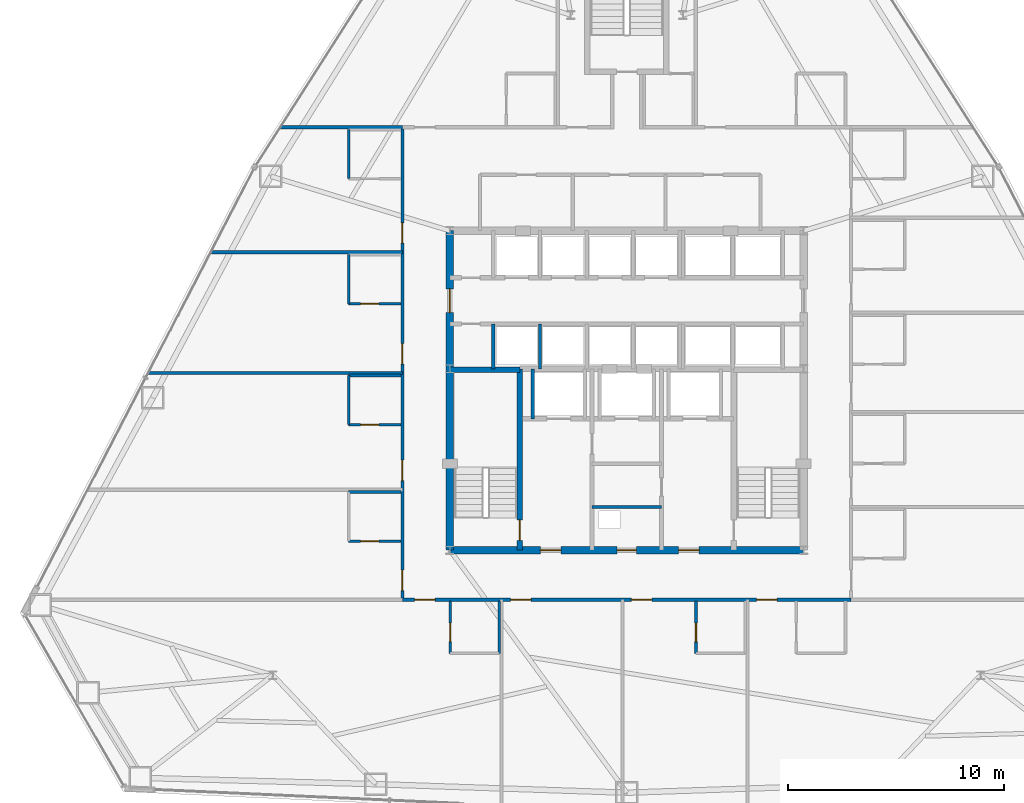
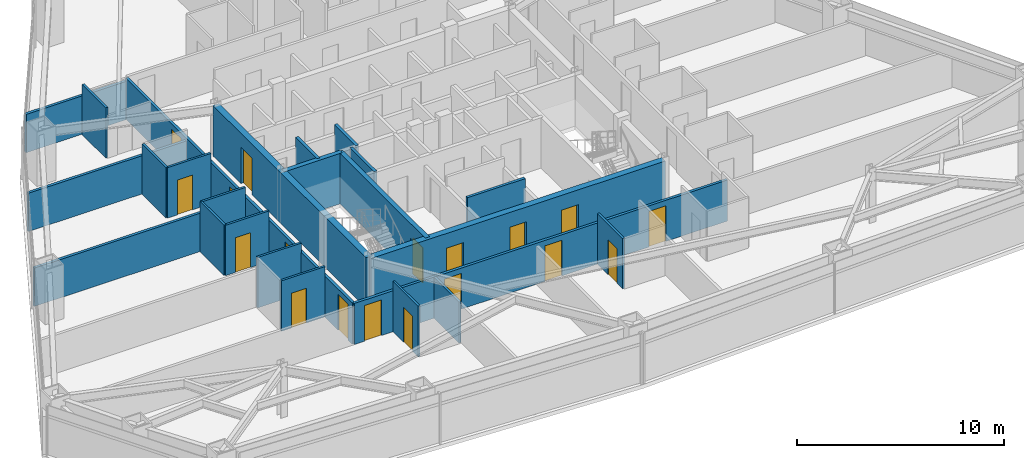
# One storey, part 9 of 13: 24 walls, 18 doors, 18 openings.
"""IFC4 building model written with IfcOpenShell, lengths in metres."""

import ifcopenshell
import ifcopenshell.guid

model = None  # the IFC model being written
_history = None  # IfcOwnerHistory: only IFC2X3 demands one
_inside = {}  # id of a spatial element -> (the spatial element, [elements in it])
_under = {}  # id of a project, library or spatial element -> (it, [spatial elements below it])
_declared = {}  # id of a project -> (the project, [libraries it declares])
_typed = {}  # id of a type object -> (the type object, [elements of that type])
_made_of = {}  # id of a material, layer set ... -> (it, [elements and type objects made of it])


def new_model(schema):
    """Start an empty IFC model of exactly this schema.

    Asked for "IFC4X3", IfcOpenShell would pick the latest addendum, in which some entities
    have other attributes; the version numbers below select the first issue.
    IFC2X3 requires an IfcOwnerHistory on every rooted entity: one is made here for all.
    """
    global model, _history
    if schema == "IFC4X3":
        model = ifcopenshell.file(schema_version=(4, 3, 0, 0))
    else:
        model = ifcopenshell.file(schema=schema)
    _inside.clear()
    _under.clear()
    _declared.clear()
    _typed.clear()
    _made_of.clear()
    _history = None
    if model.schema == "IFC2X3":
        org = make("IfcOrganization", Name="unknown")
        user = make(
            "IfcPersonAndOrganization",
            ThePerson=make("IfcPerson", FamilyName="unknown"),
            TheOrganization=org,
        )
        app = make(
            "IfcApplication",
            ApplicationDeveloper=org,
            Version="unknown",
            ApplicationFullName="unknown",
            ApplicationIdentifier="unknown",
        )
        _history = make(
            "IfcOwnerHistory",
            OwningUser=user,
            OwningApplication=app,
            ChangeAction="ADDED",
            CreationDate=0,
        )
    return model


def make(cls, **values):
    """One entity of the class cls with the attributes given. An attribute that is None is left unset."""
    return model.create_entity(
        cls, **{name: value for name, value in values.items() if value is not None}
    )


def rooted(cls, **values):
    """An entity with a GlobalId (a new one), such as an element, a storey or a relation."""
    return make(cls, GlobalId=ifcopenshell.guid.new(), OwnerHistory=_history, **values)


def si_unit(unit_type, name, prefix=None):
    """IfcSIUnit, for example si_unit("LENGTHUNIT", "METRE", prefix="MILLI")."""
    return make("IfcSIUnit", UnitType=unit_type, Prefix=prefix, Name=name)


def assignment(units):
    """IfcUnitAssignment: the units of a project."""
    return None if units is None else make("IfcUnitAssignment", Units=units)


def point(xyz):
    """IfcCartesianPoint."""
    return None if xyz is None else make("IfcCartesianPoint", Coordinates=xyz)


def direction(xyz):
    """IfcDirection."""
    return None if xyz is None else make("IfcDirection", DirectionRatios=xyz)


def frame(location, z_axis=None, x_axis=None):
    """IfcAxis2Placement3D, a coordinate frame: its origin and axes. An axis left out is left unset."""
    return make(
        "IfcAxis2Placement3D",
        Location=point(location),
        Axis=direction(z_axis),
        RefDirection=direction(x_axis),
    )


def frame_2d(location, x_axis=None):
    """IfcAxis2Placement2D, a coordinate frame in the plane: its origin and x axis."""
    return make(
        "IfcAxis2Placement2D", Location=point(location), RefDirection=direction(x_axis)
    )


def origin():
    """The frame at (0, 0, 0) with its axes left unset."""
    return frame((0.0, 0.0, 0.0))


def place(relative_to, where):
    """IfcLocalPlacement: puts the frame where relative to a parent placement (None: the world)."""
    return make(
        "IfcLocalPlacement", PlacementRelTo=relative_to, RelativePlacement=where
    )


def context(
    kind, dimensions, precision=None, world=None, true_north=None, identifier=None
):
    """IfcGeometricRepresentationContext, for example the 3D "Model" context."""
    return make(
        "IfcGeometricRepresentationContext",
        ContextIdentifier=identifier,
        ContextType=kind,
        CoordinateSpaceDimension=dimensions,
        Precision=precision,
        WorldCoordinateSystem=world,
        TrueNorth=true_north,
    )


def subcontext(parent, identifier, kind, view, scale=None):
    """IfcGeometricRepresentationSubContext, for example "Body" below "Model"."""
    return make(
        "IfcGeometricRepresentationSubContext",
        ContextIdentifier=identifier,
        ContextType=kind,
        ParentContext=parent,
        TargetScale=scale,
        TargetView=view,
    )


def project(units=None, contexts=None):
    """IfcProject with its units and contexts."""
    return rooted(
        "IfcProject",
        Name="project",
        RepresentationContexts=contexts,
        UnitsInContext=assignment(units),
    )


def spatial(cls, under=None, at=None, **own):
    """A site, building, storey or space (cls), placed at a placement, below another one or the project."""
    s = rooted(cls, ObjectPlacement=at, **own)
    if under is not None:
        _under.setdefault(under.id(), (under, []))[1].append(s)
    return s


def profile(cls, at=None, kind="AREA", **sizes):
    """A parametric profile (cls). Its sizes go by their IFC names, for example OverallWidth=200.0."""
    return make(cls, ProfileType=kind, Position=at, **sizes)


def rectangle(**sizes):
    """IfcRectangleProfileDef."""
    return profile("IfcRectangleProfileDef", **sizes)


def extrude(swept, where, along, depth):
    """IfcExtrudedAreaSolid: the profile swept, set in the frame where, extruded along a direction by depth."""
    return make(
        "IfcExtrudedAreaSolid",
        SweptArea=swept,
        Position=where,
        ExtrudedDirection=direction(along),
        Depth=depth,
    )


def shape(context_of_items, identifier, shape_type, items):
    """IfcShapeRepresentation: the items that make up one representation, for example the "Body"."""
    return make(
        "IfcShapeRepresentation",
        ContextOfItems=context_of_items,
        RepresentationIdentifier=identifier,
        RepresentationType=shape_type,
        Items=items,
    )


def material(Name=None, Category=None):
    """IfcMaterial."""
    return make("IfcMaterial", Name=Name, Category=Category)


def layer(
    of_material, thickness, ventilated=None, Name=None, Category=None, Priority=None
):
    """IfcMaterialLayer: one layer of a wall or slab, of a material (None: an air gap)."""
    return make(
        "IfcMaterialLayer",
        Material=of_material,
        LayerThickness=thickness,
        IsVentilated=ventilated,
        Name=Name,
        Category=Category,
        Priority=Priority,
    )


def layer_set(layers, Name=None):
    """IfcMaterialLayerSet."""
    return make("IfcMaterialLayerSet", MaterialLayers=layers, LayerSetName=Name)


def made_of(thing, what):
    """Note that an element or type object is made of a material, layer set ...; save() writes the relation."""
    if what is not None:
        _made_of.setdefault(what.id(), (what, []))[1].append(thing)
    return thing


def type_object(cls, material=None, **own):
    """A type object (cls), such as IfcWallType, which elements share."""
    return made_of(rooted(cls, **own), material)


def element(
    cls,
    number,
    at=None,
    inside=None,
    cuts=None,
    type_object=None,
    material=None,
    context=None,
    identifier="Body",
    shape_type=None,
    held_by="IfcProductDefinitionShape",
    body=None,
    shapes=None,
    **own,
):
    """One element of the class cls, such as IfcWall. Its Tag is "e" and its number.

    at: its placement. inside: the storey or other place that contains it. cuts: it is an
    opening in that element (IfcRelVoidsElement). A single representation is given by context,
    identifier, shape_type and body (its items); several are given by shapes. held_by: the class
    of the entity that holds the representations. save() writes the other relations.
    """
    e = rooted(cls, Tag="e%d" % number, ObjectPlacement=at, **own)
    if body is not None:
        shapes = [shape(context, identifier, shape_type, body)]
    if shapes is not None:
        e.Representation = make(held_by, Representations=shapes)
    if inside is not None:
        _inside.setdefault(inside.id(), (inside, []))[1].append(e)
    if cuts is not None:
        rooted(
            "IfcRelVoidsElement", RelatingBuildingElement=cuts, RelatedOpeningElement=e
        )
    if type_object is not None:
        _typed.setdefault(type_object.id(), (type_object, []))[1].append(e)
    return made_of(e, material)


def fill(opening, filler):
    """IfcRelFillsElement: the door or window that sits in an opening."""
    return rooted(
        "IfcRelFillsElement",
        RelatingOpeningElement=opening,
        RelatedBuildingElement=filler,
    )


def aggregate(whole, parts):
    """IfcRelAggregates: a whole, such as a stair, and the parts it consists of."""
    return rooted("IfcRelAggregates", RelatingObject=whole, RelatedObjects=parts)


def save(model, path):
    """Write the relations noted so far, then the file.

    IfcRelAggregates (storeys below a building ...), IfcRelContainedInSpatialStructure (elements
    in a storey), IfcRelDefinesByType, IfcRelAssociatesMaterial and IfcRelDeclares: one each for
    every whole, place, type object, material and project.
    """
    for whole, parts in _under.values():
        aggregate(whole, parts)
    for where, things in _inside.values():
        rooted(
            "IfcRelContainedInSpatialStructure",
            RelatedElements=things,
            RelatingStructure=where,
        )
    for kind, things in _typed.values():
        rooted("IfcRelDefinesByType", RelatedObjects=things, RelatingType=kind)
    for what, things in _made_of.values():
        rooted("IfcRelAssociatesMaterial", RelatedObjects=things, RelatingMaterial=what)
    for by, libraries in _declared.values():
        rooted("IfcRelDeclares", RelatingContext=by, RelatedDefinitions=libraries)
    model.write(path)


model = new_model("IFC4")

# Units and contexts
model_context = context("Model", 3, precision=1e-05, world=origin(), true_north=direction((0.0, 1.0)))
body_context = subcontext(model_context, "Body", "Model", "MODEL_VIEW")
ifc_project = project(units=[si_unit("LENGTHUNIT", "METRE"), si_unit("AREAUNIT", "SQUARE_METRE"), si_unit("VOLUMEUNIT", "CUBIC_METRE"), si_unit("PLANEANGLEUNIT", "RADIAN"), si_unit("MASSUNIT", "GRAM", prefix="KILO")], contexts=[model_context])

# Site, building, storey
site_placement = place(None, origin())
site = spatial("IfcSite", under=ifc_project, at=site_placement, CompositionType="ELEMENT")
building_placement = place(site_placement, origin())
building = spatial("IfcBuilding", under=site, at=building_placement, Name="Varakhsha Concourse Tower", CompositionType="ELEMENT")
storey_placement = place(building_placement, frame((0.0, 0.0, 83.0)))
storey = spatial("IfcBuildingStorey", under=building, at=storey_placement, Name="L23", CompositionType="ELEMENT", Elevation=83.0)

# Wall, openings, doors
ifc_material_1 = material(Name="Concrete fc 65 MPa", Category="concrete")
ifc_layer_1 = layer(ifc_material_1, 0.35009765625, Name="WL-CORE-350")
ifc_layer_set_1 = layer_set([ifc_layer_1], Name="Concrete fc 65 MPa")
wall_type_1 = type_object("IfcWallType", Name="WL-CORE-350", PredefinedType="SHEAR", material=ifc_layer_set_1)
wall_1_placement = place(storey_placement, frame((31.800048828125, 16.39990234375, 0.0), z_axis=(0.0, 0.0, 1.0), x_axis=(1.0, 0.0, 0.0)))
wall_1 = element("IfcWall", 1, at=wall_1_placement, inside=storey, type_object=wall_type_1, Name="L23 Wall CWALL-S-L23", PredefinedType="SHEAR", context=body_context, shape_type="SweptSolid", body=[
    extrude(rectangle(XDim=16.39990234375, YDim=0.35009765625, at=frame_2d((8.199951171875, 0.0))), origin(), (0.0, 0.0, 1.0), 2.969970703125),
])
opening_1_placement = place(wall_1_placement, frame((7.75, 0.0, 0.0)))
opening_1 = element("IfcOpeningElement", 2, at=opening_1_placement, cuts=wall_1, Name="Opening DF-06", PredefinedType="OPENING", context=body_context, shape_type="SweptSolid", body=[
    extrude(rectangle(XDim=0.89990234375, YDim=2.10009765625, at=frame_2d((0.449951171875, 1.050048828125))), frame((0.0, 0.18505859375, 0.0), z_axis=(0.0, -1.0, 0.0), x_axis=(1.0, 0.0, 0.0)), (0.0, 0.0, 1.0), 0.3701171875),
])
opening_2_placement = place(wall_1_placement, frame((4.199951171875, 0.0, 0.0)))
opening_2 = element("IfcOpeningElement", 3, at=opening_2_placement, cuts=wall_1, Name="Opening DF-05", PredefinedType="OPENING", context=body_context, shape_type="SweptSolid", body=[
    extrude(rectangle(XDim=0.949951171875, YDim=2.10009765625, at=frame_2d((0.47509765625, 1.050048828125))), frame((0.0, 0.18505859375, 0.0), z_axis=(0.0, -1.0, 0.0), x_axis=(1.0, 0.0, 0.0)), (0.0, 0.0, 1.0), 0.3701171875),
])
opening_3_placement = place(wall_1_placement, frame((10.60009765625, 0.0, 0.0)))
opening_3 = element("IfcOpeningElement", 4, at=opening_3_placement, cuts=wall_1, Name="Opening DF-05", PredefinedType="OPENING", context=body_context, shape_type="SweptSolid", body=[
    extrude(rectangle(XDim=0.949951171875, YDim=2.10009765625, at=frame_2d((0.47509765625, 1.050048828125))), frame((0.0, 0.18505859375, 0.0), z_axis=(0.0, -1.0, 0.0), x_axis=(1.0, 0.0, 0.0)), (0.0, 0.0, 1.0), 0.3701171875),
])
ifc_material_2 = material(Name="Hollow Galvanised Steel Fire Door Assembly", Category="steel")
door_type_1 = type_object("IfcDoorType", Name="DR-FD60-900", OperationType="NOTDEFINED", PredefinedType="DOOR", material=ifc_material_2)
door_1_placement = place(opening_1_placement, origin())
door_1 = element("IfcDoor", 5, at=door_1_placement, inside=storey, type_object=door_type_1, Name="L23 Electrical Riser Door", OperationType="SINGLE_SWING_LEFT", OverallHeight=2.10009765625, OverallWidth=0.89990234375, PredefinedType="DOOR", context=body_context, shape_type="SweptSolid", body=[
    extrude(rectangle(XDim=0.89990234375, YDim=2.10009765625, at=frame_2d((0.449951171875, 1.050048828125))), frame((0.0, 0.02490234375, 0.0), z_axis=(0.0, -1.0, 0.0), x_axis=(1.0, 0.0, 0.0)), (0.0, 0.0, 1.0), 0.050048828125),
])
fill(opening_1, door_1)
door_type_2 = type_object("IfcDoorType", Name="DR-FD60-950", OperationType="NOTDEFINED", PredefinedType="DOOR", material=ifc_material_2)
door_2_placement = place(opening_2_placement, origin())
door_2 = element("IfcDoor", 6, at=door_2_placement, inside=storey, type_object=door_type_2, Name="L23 Firefighting Lobby West Door", OperationType="SINGLE_SWING_RIGHT", OverallHeight=2.10009765625, OverallWidth=0.949951171875, PredefinedType="DOOR", context=body_context, shape_type="SweptSolid", body=[
    extrude(rectangle(XDim=0.949951171875, YDim=2.10009765625, at=frame_2d((0.47509765625, 1.050048828125))), frame((0.0, 0.02490234375, 0.0), z_axis=(0.0, -1.0, 0.0), x_axis=(1.0, 0.0, 0.0)), (0.0, 0.0, 1.0), 0.050048828125),
])
fill(opening_2, door_2)
door_3_placement = place(opening_3_placement, origin())
door_3 = element("IfcDoor", 7, at=door_3_placement, inside=storey, type_object=door_type_2, Name="L23 Firefighting Lobby East Door", OperationType="SINGLE_SWING_LEFT", OverallHeight=2.10009765625, OverallWidth=0.949951171875, PredefinedType="DOOR", context=body_context, shape_type="SweptSolid", body=[
    extrude(rectangle(XDim=0.949951171875, YDim=2.10009765625, at=frame_2d((0.47509765625, 1.050048828125))), frame((0.0, 0.02490234375, 0.0), z_axis=(0.0, -1.0, 0.0), x_axis=(1.0, 0.0, 0.0)), (0.0, 0.0, 1.0), 0.050048828125),
])
fill(opening_3, door_3)

# Wall, opening, door
wall_2_placement = place(storey_placement, frame((31.800048828125, 16.39990234375, 0.0), z_axis=(0.0, 0.0, 1.0), x_axis=(0.0, 1.0, 0.0)))
wall_2 = element("IfcWall", 8, at=wall_2_placement, inside=storey, type_object=wall_type_1, Name="L23 Wall CWALL-W-L23", PredefinedType="SHEAR", context=body_context, shape_type="SweptSolid", body=[
    extrude(rectangle(XDim=14.800048828125, YDim=0.35009765625, at=frame_2d((7.39990234375, 0.0))), origin(), (0.0, 0.0, 1.0), 2.969970703125),
])
opening_4_placement = place(wall_2_placement, frame((11.0, 0.0, 0.0)))
opening_4 = element("IfcOpeningElement", 9, at=opening_4_placement, cuts=wall_2, Name="Opening DL-01", PredefinedType="OPENING", context=body_context, shape_type="SweptSolid", body=[
    extrude(rectangle(XDim=1.10009765625, YDim=2.14990234375, at=frame_2d((0.550048828125, 1.074951171875))), frame((0.0, 0.18505859375, 0.0), z_axis=(0.0, -1.0, 0.0), x_axis=(1.0, 0.0, 0.0)), (0.0, 0.0, 1.0), 0.3701171875),
])
ifc_material_3 = material(Name="Anodised Bronze Architectural Aluminium AA 6063-T6", Category="aluminium")
door_type_3 = type_object("IfcDoorType", Name="DR-LOB-1100", OperationType="NOTDEFINED", PredefinedType="DOOR", material=ifc_material_3)
door_4_placement = place(opening_4_placement, origin())
door_4 = element("IfcDoor", 10, at=door_4_placement, inside=storey, type_object=door_type_3, Name="L23 Lift Lobby West Concourse Door", OperationType="SINGLE_SWING_LEFT", OverallHeight=2.14990234375, OverallWidth=1.10009765625, PredefinedType="DOOR", context=body_context, shape_type="SweptSolid", body=[
    extrude(rectangle(XDim=1.10009765625, YDim=2.14990234375, at=frame_2d((0.550048828125, 1.074951171875))), frame((0.0, 0.02490234375, 0.0), z_axis=(0.0, -1.0, 0.0), x_axis=(1.0, 0.0, 0.0)), (0.0, 0.0, 1.0), 0.050048828125),
])
fill(opening_4, door_4)

ifc_material_4 = material(Name="Acoustic Gypsum Board Partition Assembly", Category="gypsum")
ifc_layer_2 = layer(ifc_material_4, 0.1201171875, Name="WL-PART-120")
ifc_layer_set_2 = layer_set([ifc_layer_2], Name="Acoustic Gypsum Board Partition Assembly")
wall_type_2 = type_object("IfcWallType", Name="WL-PART-120", PredefinedType="PARTITIONING", material=ifc_layer_set_2)
wall_3_placement = place(storey_placement, frame((31.81005859375, 11.610107421875, 0.0), z_axis=(0.0, 0.0, 1.0), x_axis=(0.0, 1.0, 0.0)))
wall_3 = element("IfcWall", 11, at=wall_3_placement, inside=storey, type_object=wall_type_2, Name="L23 Wall ENSW-W-L23-H01", PredefinedType="PARTITIONING", context=body_context, shape_type="SweptSolid", body=[
    extrude(rectangle(XDim=2.429931640625, YDim=0.1201171875, at=frame_2d((1.21484375, 0.0))), origin(), (0.0, 0.0, 1.0), 2.969970703125),
])
opening_5_placement = place(wall_3_placement, frame((0.550048828125, 0.0, 0.0)))
opening_5 = element("IfcOpeningElement", 12, at=opening_5_placement, cuts=wall_3, Name="Opening DI-01", PredefinedType="OPENING", context=body_context, shape_type="SweptSolid", body=[
    extrude(rectangle(XDim=0.85009765625, YDim=2.050048828125, at=frame_2d((0.425048828125, 1.02490234375))), frame((0.0, 0.070068359375, 0.0), z_axis=(0.0, -1.0, 0.0), x_axis=(1.0, 0.0, 0.0)), (0.0, 0.0, 1.0), 0.14013671875),
])
ifc_material_5 = material(Name="Architectural Walnut Acoustic Timber Door", Category="wood")
door_type_4 = type_object("IfcDoorType", Name="DR-INT-850", OperationType="NOTDEFINED", PredefinedType="DOOR", material=ifc_material_5)
door_5_placement = place(opening_5_placement, origin())
door_5 = element("IfcDoor", 13, at=door_5_placement, inside=storey, type_object=door_type_4, Name="L23 En-suite Bathroom Door L23-H01", OperationType="SINGLE_SWING_RIGHT", OverallHeight=2.050048828125, OverallWidth=0.85009765625, PredefinedType="DOOR", context=body_context, shape_type="SweptSolid", body=[
    extrude(rectangle(XDim=0.85009765625, YDim=2.050048828125, at=frame_2d((0.425048828125, 1.02490234375))), frame((0.0, 0.02490234375, 0.0), z_axis=(0.0, -1.0, 0.0), x_axis=(1.0, 0.0, 0.0)), (0.0, 0.0, 1.0), 0.050048828125),
])
fill(opening_5, door_5)

# Wall
wall_4_placement = place(storey_placement, frame((34.090087890625, 11.610107421875, 0.0), z_axis=(0.0, 0.0, 1.0), x_axis=(0.0, 1.0, 0.0)))
element("IfcWall", 14, at=wall_4_placement, inside=storey, type_object=wall_type_2, Name="L23 Wall ENSW-E-L23-H01", PredefinedType="PARTITIONING", context=body_context, shape_type="SweptSolid", body=[
    extrude(rectangle(XDim=2.429931640625, YDim=0.1201171875, at=frame_2d((1.21484375, 0.0))), origin(), (0.0, 0.0, 1.0), 2.4208984375),
])

# Wall, opening, door
wall_5_placement = place(storey_placement, frame((43.2099609375, 11.610107421875, 0.0), z_axis=(0.0, 0.0, 1.0), x_axis=(0.0, 1.0, 0.0)))
wall_5 = element("IfcWall", 15, at=wall_5_placement, inside=storey, type_object=wall_type_2, Name="L23 Wall ENSW-W-L23-H03", PredefinedType="PARTITIONING", context=body_context, shape_type="SweptSolid", body=[
    extrude(rectangle(XDim=2.429931640625, YDim=0.1201171875, at=frame_2d((1.21484375, 0.0))), origin(), (0.0, 0.0, 1.0), 2.969970703125),
])
opening_6_placement = place(wall_5_placement, frame((0.550048828125, 0.0, 0.0)))
opening_6 = element("IfcOpeningElement", 16, at=opening_6_placement, cuts=wall_5, Name="Opening DI-01", PredefinedType="OPENING", context=body_context, shape_type="SweptSolid", body=[
    extrude(rectangle(XDim=0.85009765625, YDim=2.050048828125, at=frame_2d((0.425048828125, 1.02490234375))), frame((0.0, 0.070068359375, 0.0), z_axis=(0.0, -1.0, 0.0), x_axis=(1.0, 0.0, 0.0)), (0.0, 0.0, 1.0), 0.14013671875),
])
door_6_placement = place(opening_6_placement, origin())
door_6 = element("IfcDoor", 17, at=door_6_placement, inside=storey, type_object=door_type_4, Name="L23 En-suite Bathroom Door L23-H03", OperationType="SINGLE_SWING_RIGHT", OverallHeight=2.050048828125, OverallWidth=0.85009765625, PredefinedType="DOOR", context=body_context, shape_type="SweptSolid", body=[
    extrude(rectangle(XDim=0.85009765625, YDim=2.050048828125, at=frame_2d((0.425048828125, 1.02490234375))), frame((0.0, 0.02490234375, 0.0), z_axis=(0.0, -1.0, 0.0), x_axis=(1.0, 0.0, 0.0)), (0.0, 0.0, 1.0), 0.050048828125),
])
fill(opening_6, door_6)

wall_6_placement = place(storey_placement, frame((27.110107421875, 16.81005859375, 0.0), z_axis=(0.0, 0.0, 1.0), x_axis=(1.0, 0.0, 0.0)))
wall_6 = element("IfcWall", 18, at=wall_6_placement, inside=storey, type_object=wall_type_2, Name="L23 Wall ENSW-S-L23-H05", PredefinedType="PARTITIONING", context=body_context, shape_type="SweptSolid", body=[
    extrude(rectangle(XDim=2.429931640625, YDim=0.1201171875, at=frame_2d((1.21484375, 0.0))), origin(), (0.0, 0.0, 1.0), 2.969970703125),
])
opening_7_placement = place(wall_6_placement, frame((0.550048828125, 0.0, 0.0)))
opening_7 = element("IfcOpeningElement", 19, at=opening_7_placement, cuts=wall_6, Name="Opening DI-01", PredefinedType="OPENING", context=body_context, shape_type="SweptSolid", body=[
    extrude(rectangle(XDim=0.85009765625, YDim=2.050048828125, at=frame_2d((0.425048828125, 1.02490234375))), frame((0.0, 0.070068359375, 0.0), z_axis=(0.0, -1.0, 0.0), x_axis=(1.0, 0.0, 0.0)), (0.0, 0.0, 1.0), 0.14013671875),
])
door_7_placement = place(opening_7_placement, origin())
door_7 = element("IfcDoor", 20, at=door_7_placement, inside=storey, type_object=door_type_4, Name="L23 En-suite Bathroom Door L23-H05", OperationType="SINGLE_SWING_RIGHT", OverallHeight=2.050048828125, OverallWidth=0.85009765625, PredefinedType="DOOR", context=body_context, shape_type="SweptSolid", body=[
    extrude(rectangle(XDim=0.85009765625, YDim=2.050048828125, at=frame_2d((0.425048828125, 1.02490234375))), frame((0.0, 0.02490234375, 0.0), z_axis=(0.0, -1.0, 0.0), x_axis=(1.0, 0.0, 0.0)), (0.0, 0.0, 1.0), 0.050048828125),
])
fill(opening_7, door_7)

# Walls
wall_7_placement = place(storey_placement, frame((27.110107421875, 19.090087890625, 0.0), z_axis=(0.0, 0.0, 1.0), x_axis=(1.0, 0.0, 0.0)))
element("IfcWall", 21, at=wall_7_placement, inside=storey, type_object=wall_type_2, Name="L23 Wall ENSW-N-L23-H05", PredefinedType="PARTITIONING", context=body_context, shape_type="SweptSolid", body=[
    extrude(rectangle(XDim=2.429931640625, YDim=0.1201171875, at=frame_2d((1.21484375, 0.0))), origin(), (0.0, 0.0, 1.0), 2.969970703125),
])
wall_8_placement = place(storey_placement, frame((27.110107421875, 22.2099609375, 0.0), z_axis=(0.0, 0.0, 1.0), x_axis=(0.0, 1.0, 0.0)))
element("IfcWall", 22, at=wall_8_placement, inside=storey, type_object=wall_type_2, Name="L23 Wall ENSW-W-L23-H06", PredefinedType="PARTITIONING", context=body_context, shape_type="SweptSolid", body=[
    extrude(rectangle(XDim=2.280029296875, YDim=0.1201171875, at=frame_2d((1.14013671875, 0.0))), origin(), (0.0, 0.0, 1.0), 2.969970703125),
])

# Wall, opening, door
wall_9_placement = place(storey_placement, frame((27.110107421875, 22.2099609375, 0.0), z_axis=(0.0, 0.0, 1.0), x_axis=(1.0, 0.0, 0.0)))
wall_9 = element("IfcWall", 23, at=wall_9_placement, inside=storey, type_object=wall_type_2, Name="L23 Wall ENSW-S-L23-H06", PredefinedType="PARTITIONING", context=body_context, shape_type="SweptSolid", body=[
    extrude(rectangle(XDim=2.429931640625, YDim=0.1201171875, at=frame_2d((1.21484375, 0.0))), origin(), (0.0, 0.0, 1.0), 2.969970703125),
])
opening_8_placement = place(wall_9_placement, frame((0.550048828125, 0.0, 0.0)))
opening_8 = element("IfcOpeningElement", 24, at=opening_8_placement, cuts=wall_9, Name="Opening DI-01", PredefinedType="OPENING", context=body_context, shape_type="SweptSolid", body=[
    extrude(rectangle(XDim=0.85009765625, YDim=2.050048828125, at=frame_2d((0.425048828125, 1.02490234375))), frame((0.0, 0.070068359375, 0.0), z_axis=(0.0, -1.0, 0.0), x_axis=(1.0, 0.0, 0.0)), (0.0, 0.0, 1.0), 0.14013671875),
])
door_8_placement = place(opening_8_placement, origin())
door_8 = element("IfcDoor", 25, at=door_8_placement, inside=storey, type_object=door_type_4, Name="L23 En-suite Bathroom Door L23-H06", OperationType="SINGLE_SWING_RIGHT", OverallHeight=2.050048828125, OverallWidth=0.85009765625, PredefinedType="DOOR", context=body_context, shape_type="SweptSolid", body=[
    extrude(rectangle(XDim=0.85009765625, YDim=2.050048828125, at=frame_2d((0.425048828125, 1.02490234375))), frame((0.0, 0.02490234375, 0.0), z_axis=(0.0, -1.0, 0.0), x_axis=(1.0, 0.0, 0.0)), (0.0, 0.0, 1.0), 0.050048828125),
])
fill(opening_8, door_8)

# Walls
wall_10_placement = place(storey_placement, frame((27.110107421875, 24.489990234375, 0.0), z_axis=(0.0, 0.0, 1.0), x_axis=(1.0, 0.0, 0.0)))
element("IfcWall", 26, at=wall_10_placement, inside=storey, type_object=wall_type_2, Name="L23 Wall ENSW-N-L23-H06", PredefinedType="PARTITIONING", context=body_context, shape_type="SweptSolid", body=[
    extrude(rectangle(XDim=2.429931640625, YDim=0.1201171875, at=frame_2d((1.21484375, 0.0))), origin(), (0.0, 0.0, 1.0), 2.969970703125),
])
wall_11_placement = place(storey_placement, frame((27.110107421875, 27.81005859375, 0.0), z_axis=(0.0, 0.0, 1.0), x_axis=(0.0, 1.0, 0.0)))
element("IfcWall", 27, at=wall_11_placement, inside=storey, type_object=wall_type_2, Name="L23 Wall ENSW-W-L23-H07", PredefinedType="PARTITIONING", context=body_context, shape_type="SweptSolid", body=[
    extrude(rectangle(XDim=2.280029296875, YDim=0.1201171875, at=frame_2d((1.14013671875, 0.0))), origin(), (0.0, 0.0, 1.0), 2.969970703125),
])

# Wall, opening, door
wall_12_placement = place(storey_placement, frame((27.110107421875, 27.81005859375, 0.0), z_axis=(0.0, 0.0, 1.0), x_axis=(1.0, 0.0, 0.0)))
wall_12 = element("IfcWall", 28, at=wall_12_placement, inside=storey, type_object=wall_type_2, Name="L23 Wall ENSW-S-L23-H07", PredefinedType="PARTITIONING", context=body_context, shape_type="SweptSolid", body=[
    extrude(rectangle(XDim=2.429931640625, YDim=0.1201171875, at=frame_2d((1.21484375, 0.0))), origin(), (0.0, 0.0, 1.0), 2.969970703125),
])
opening_9_placement = place(wall_12_placement, frame((0.550048828125, 0.0, 0.0)))
opening_9 = element("IfcOpeningElement", 29, at=opening_9_placement, cuts=wall_12, Name="Opening DI-01", PredefinedType="OPENING", context=body_context, shape_type="SweptSolid", body=[
    extrude(rectangle(XDim=0.85009765625, YDim=2.050048828125, at=frame_2d((0.425048828125, 1.02490234375))), frame((0.0, 0.070068359375, 0.0), z_axis=(0.0, -1.0, 0.0), x_axis=(1.0, 0.0, 0.0)), (0.0, 0.0, 1.0), 0.14013671875),
])
door_9_placement = place(opening_9_placement, origin())
door_9 = element("IfcDoor", 30, at=door_9_placement, inside=storey, type_object=door_type_4, Name="L23 En-suite Bathroom Door L23-H07", OperationType="SINGLE_SWING_RIGHT", OverallHeight=2.050048828125, OverallWidth=0.85009765625, PredefinedType="DOOR", context=body_context, shape_type="SweptSolid", body=[
    extrude(rectangle(XDim=0.85009765625, YDim=2.050048828125, at=frame_2d((0.425048828125, 1.02490234375))), frame((0.0, 0.02490234375, 0.0), z_axis=(0.0, -1.0, 0.0), x_axis=(1.0, 0.0, 0.0)), (0.0, 0.0, 1.0), 0.050048828125),
])
fill(opening_9, door_9)

# Walls
wall_13_placement = place(storey_placement, frame((27.110107421875, 33.610107421875, 0.0), z_axis=(0.0, 0.0, 1.0), x_axis=(0.0, 1.0, 0.0)))
element("IfcWall", 31, at=wall_13_placement, inside=storey, type_object=wall_type_2, Name="L23 Wall ENSW-W-L23-H08", PredefinedType="PARTITIONING", context=body_context, shape_type="SweptSolid", body=[
    extrude(rectangle(XDim=2.27978515625, YDim=0.1201171875, at=frame_2d((1.139892578125, 0.0))), origin(), (0.0, 0.0, 1.0), 2.969970703125),
])
ifc_material_6 = material(Name="Fire-Rated Type X Gypsum Partition Assembly", Category="gypsum")
ifc_layer_3 = layer(ifc_material_6, 0.14990234375, Name="WL-PART-150")
ifc_layer_set_3 = layer_set([ifc_layer_3], Name="Fire-Rated Type X Gypsum Partition Assembly")
wall_type_3 = type_object("IfcWallType", Name="WL-PART-150", PredefinedType="PARTITIONING", material=ifc_layer_set_3)
wall_14_placement = place(storey_placement, frame((38.389892578125, 18.39990234375, 0.0), z_axis=(0.0, 0.0, 1.0), x_axis=(1.0, 0.0, 0.0)))
element("IfcWall", 32, at=wall_14_placement, inside=storey, type_object=wall_type_3, Name="L23 Wall RSW-H1-L23", PredefinedType="PARTITIONING", context=body_context, shape_type="SweptSolid", body=[
    extrude(rectangle(XDim=3.22021484375, YDim=0.14990234375, at=frame_2d((1.610107421875, 0.0))), origin(), (0.0, 0.0, 1.0), 2.969970703125),
])

# Wall, openings, doors
wall_15_placement = place(storey_placement, frame((29.60009765625, 14.10009765625, 0.0), z_axis=(0.0, 0.0, 1.0), x_axis=(1.0, 0.0, 0.0)))
wall_15 = element("IfcWall", 33, at=wall_15_placement, inside=storey, type_object=wall_type_3, Name="L23 Wall CRW-S-L23", PredefinedType="PARTITIONING", context=body_context, shape_type="SweptSolid", body=[
    extrude(rectangle(XDim=20.7998046875, YDim=0.14990234375, at=frame_2d((10.39990234375, 0.0))), origin(), (0.0, 0.0, 1.0), 2.4208984375),
])
opening_10_placement = place(wall_15_placement, frame((0.570068359375, 0.0, 0.0)))
opening_10 = element("IfcOpeningElement", 34, at=opening_10_placement, cuts=wall_15, Name="Opening DF-05", PredefinedType="OPENING", context=body_context, shape_type="SweptSolid", body=[
    extrude(rectangle(XDim=0.949951171875, YDim=2.10009765625, at=frame_2d((0.47509765625, 1.050048828125))), frame((0.0, 0.0849609375, 0.0), z_axis=(0.0, -1.0, 0.0), x_axis=(1.0, 0.0, 0.0)), (0.0, 0.0, 1.0), 0.169921875),
])
opening_11_placement = place(wall_15_placement, frame((5.02001953125, 0.0, 0.0)))
opening_11 = element("IfcOpeningElement", 35, at=opening_11_placement, cuts=wall_15, Name="Opening DF-05", PredefinedType="OPENING", context=body_context, shape_type="SweptSolid", body=[
    extrude(rectangle(XDim=0.949951171875, YDim=2.10009765625, at=frame_2d((0.47509765625, 1.050048828125))), frame((0.0, 0.0849609375, 0.0), z_axis=(0.0, -1.0, 0.0), x_axis=(1.0, 0.0, 0.0)), (0.0, 0.0, 1.0), 0.169921875),
])
opening_12_placement = place(wall_15_placement, frame((10.6201171875, 0.0, 0.0)))
opening_12 = element("IfcOpeningElement", 36, at=opening_12_placement, cuts=wall_15, Name="Opening DF-05", PredefinedType="OPENING", context=body_context, shape_type="SweptSolid", body=[
    extrude(rectangle(XDim=0.949951171875, YDim=2.10009765625, at=frame_2d((0.47509765625, 1.050048828125))), frame((0.0, 0.0849609375, 0.0), z_axis=(0.0, -1.0, 0.0), x_axis=(1.0, 0.0, 0.0)), (0.0, 0.0, 1.0), 0.169921875),
])
opening_13_placement = place(wall_15_placement, frame((16.419921875, 0.0, 0.0)))
opening_13 = element("IfcOpeningElement", 37, at=opening_13_placement, cuts=wall_15, Name="Opening DF-05", PredefinedType="OPENING", context=body_context, shape_type="SweptSolid", body=[
    extrude(rectangle(XDim=0.949951171875, YDim=2.10009765625, at=frame_2d((0.47509765625, 1.050048828125))), frame((0.0, 0.0849609375, 0.0), z_axis=(0.0, -1.0, 0.0), x_axis=(1.0, 0.0, 0.0)), (0.0, 0.0, 1.0), 0.169921875),
])
door_10_placement = place(opening_10_placement, origin())
door_10 = element("IfcDoor", 38, at=door_10_placement, inside=storey, type_object=door_type_2, Name="L23 Hotel Corner Suite L23-H01 Entry Door", OperationType="SINGLE_SWING_LEFT", OverallHeight=2.10009765625, OverallWidth=0.949951171875, PredefinedType="DOOR", context=body_context, shape_type="SweptSolid", body=[
    extrude(rectangle(XDim=0.949951171875, YDim=2.10009765625, at=frame_2d((0.47509765625, 1.050048828125))), frame((0.0, 0.02490234375, 0.0), z_axis=(0.0, -1.0, 0.0), x_axis=(1.0, 0.0, 0.0)), (0.0, 0.0, 1.0), 0.050048828125),
])
fill(opening_10, door_10)
door_11_placement = place(opening_11_placement, origin())
door_11 = element("IfcDoor", 39, at=door_11_placement, inside=storey, type_object=door_type_2, Name="L23 Conference Briefing Salon L23-H02 Door", OperationType="SINGLE_SWING_RIGHT", OverallHeight=2.10009765625, OverallWidth=0.949951171875, PredefinedType="DOOR", context=body_context, shape_type="SweptSolid", body=[
    extrude(rectangle(XDim=0.949951171875, YDim=2.10009765625, at=frame_2d((0.47509765625, 1.050048828125))), frame((0.0, 0.02490234375, 0.0), z_axis=(0.0, -1.0, 0.0), x_axis=(1.0, 0.0, 0.0)), (0.0, 0.0, 1.0), 0.050048828125),
])
fill(opening_11, door_11)
door_12_placement = place(opening_12_placement, origin())
door_12 = element("IfcDoor", 40, at=door_12_placement, inside=storey, type_object=door_type_2, Name="L23 Hotel Corner Suite L23-H03 Entry Door", OperationType="SINGLE_SWING_LEFT", OverallHeight=2.10009765625, OverallWidth=0.949951171875, PredefinedType="DOOR", context=body_context, shape_type="SweptSolid", body=[
    extrude(rectangle(XDim=0.949951171875, YDim=2.10009765625, at=frame_2d((0.47509765625, 1.050048828125))), frame((0.0, 0.02490234375, 0.0), z_axis=(0.0, -1.0, 0.0), x_axis=(1.0, 0.0, 0.0)), (0.0, 0.0, 1.0), 0.050048828125),
])
fill(opening_12, door_12)
door_13_placement = place(opening_13_placement, origin())
door_13 = element("IfcDoor", 41, at=door_13_placement, inside=storey, type_object=door_type_2, Name="L23 Hotel Corner Suite L23-H04 Entry Door", OperationType="SINGLE_SWING_RIGHT", OverallHeight=2.10009765625, OverallWidth=0.949951171875, PredefinedType="DOOR", context=body_context, shape_type="SweptSolid", body=[
    extrude(rectangle(XDim=0.949951171875, YDim=2.10009765625, at=frame_2d((0.47509765625, 1.050048828125))), frame((0.0, 0.02490234375, 0.0), z_axis=(0.0, -1.0, 0.0), x_axis=(1.0, 0.0, 0.0)), (0.0, 0.0, 1.0), 0.050048828125),
])
fill(opening_13, door_13)

wall_16_placement = place(storey_placement, frame((29.60009765625, 14.10009765625, 0.0), z_axis=(0.0, 0.0, 1.0), x_axis=(0.0, 1.0, 0.0)))
wall_16 = element("IfcWall", 42, at=wall_16_placement, inside=storey, type_object=wall_type_3, Name="L23 Wall CRW-W-L23", PredefinedType="PARTITIONING", context=body_context, shape_type="SweptSolid", body=[
    extrude(rectangle(XDim=21.89990234375, YDim=0.14990234375, at=frame_2d((10.949951171875, 0.0))), origin(), (0.0, 0.0, 1.0), 2.4208984375),
])
opening_14_placement = place(wall_16_placement, frame((0.419921875, 0.0, 0.0)))
opening_14 = element("IfcOpeningElement", 43, at=opening_14_placement, cuts=wall_16, Name="Opening DF-05", PredefinedType="OPENING", context=body_context, shape_type="SweptSolid", body=[
    extrude(rectangle(XDim=0.949951171875, YDim=2.10009765625, at=frame_2d((0.47509765625, 1.050048828125))), frame((0.0, 0.0849609375, 0.0), z_axis=(0.0, -1.0, 0.0), x_axis=(1.0, 0.0, 0.0)), (0.0, 0.0, 1.0), 0.169921875),
])
opening_15_placement = place(wall_16_placement, frame((5.52001953125, 0.0, 0.0)))
opening_15 = element("IfcOpeningElement", 44, at=opening_15_placement, cuts=wall_16, Name="Opening DF-05", PredefinedType="OPENING", context=body_context, shape_type="SweptSolid", body=[
    extrude(rectangle(XDim=0.949951171875, YDim=2.10009765625, at=frame_2d((0.47509765625, 1.050048828125))), frame((0.0, 0.0849609375, 0.0), z_axis=(0.0, -1.0, 0.0), x_axis=(1.0, 0.0, 0.0)), (0.0, 0.0, 1.0), 0.169921875),
])
opening_16_placement = place(wall_16_placement, frame((10.919921875, 0.0, 0.0)))
opening_16 = element("IfcOpeningElement", 45, at=opening_16_placement, cuts=wall_16, Name="Opening DF-05", PredefinedType="OPENING", context=body_context, shape_type="SweptSolid", body=[
    extrude(rectangle(XDim=0.949951171875, YDim=2.10009765625, at=frame_2d((0.47509765625, 1.050048828125))), frame((0.0, 0.0849609375, 0.0), z_axis=(0.0, -1.0, 0.0), x_axis=(1.0, 0.0, 0.0)), (0.0, 0.0, 1.0), 0.169921875),
])
opening_17_placement = place(wall_16_placement, frame((16.52001953125, 0.0, 0.0)))
opening_17 = element("IfcOpeningElement", 46, at=opening_17_placement, cuts=wall_16, Name="Opening DF-05", PredefinedType="OPENING", context=body_context, shape_type="SweptSolid", body=[
    extrude(rectangle(XDim=0.949951171875, YDim=2.10009765625, at=frame_2d((0.47509765625, 1.050048828125))), frame((0.0, 0.0849609375, 0.0), z_axis=(0.0, -1.0, 0.0), x_axis=(1.0, 0.0, 0.0)), (0.0, 0.0, 1.0), 0.169921875),
])
door_14_placement = place(opening_14_placement, origin())
door_14 = element("IfcDoor", 47, at=door_14_placement, inside=storey, type_object=door_type_2, Name="L23 Hotel Corner Suite L23-H05 Entry Door", OperationType="SINGLE_SWING_LEFT", OverallHeight=2.10009765625, OverallWidth=0.949951171875, PredefinedType="DOOR", context=body_context, shape_type="SweptSolid", body=[
    extrude(rectangle(XDim=0.949951171875, YDim=2.10009765625, at=frame_2d((0.47509765625, 1.050048828125))), frame((0.0, 0.02490234375, 0.0), z_axis=(0.0, -1.0, 0.0), x_axis=(1.0, 0.0, 0.0)), (0.0, 0.0, 1.0), 0.050048828125),
])
fill(opening_14, door_14)
door_15_placement = place(opening_15_placement, origin())
door_15 = element("IfcDoor", 48, at=door_15_placement, inside=storey, type_object=door_type_2, Name="L23 Hotel Corner Suite L23-H06 Entry Door", OperationType="SINGLE_SWING_RIGHT", OverallHeight=2.10009765625, OverallWidth=0.949951171875, PredefinedType="DOOR", context=body_context, shape_type="SweptSolid", body=[
    extrude(rectangle(XDim=0.949951171875, YDim=2.10009765625, at=frame_2d((0.47509765625, 1.050048828125))), frame((0.0, 0.02490234375, 0.0), z_axis=(0.0, -1.0, 0.0), x_axis=(1.0, 0.0, 0.0)), (0.0, 0.0, 1.0), 0.050048828125),
])
fill(opening_15, door_15)
door_16_placement = place(opening_16_placement, origin())
door_16 = element("IfcDoor", 49, at=door_16_placement, inside=storey, type_object=door_type_2, Name="L23 Hotel Corner Suite L23-H07 Entry Door", OperationType="SINGLE_SWING_LEFT", OverallHeight=2.10009765625, OverallWidth=0.949951171875, PredefinedType="DOOR", context=body_context, shape_type="SweptSolid", body=[
    extrude(rectangle(XDim=0.949951171875, YDim=2.10009765625, at=frame_2d((0.47509765625, 1.050048828125))), frame((0.0, 0.02490234375, 0.0), z_axis=(0.0, -1.0, 0.0), x_axis=(1.0, 0.0, 0.0)), (0.0, 0.0, 1.0), 0.050048828125),
])
fill(opening_16, door_16)
door_17_placement = place(opening_17_placement, origin())
door_17 = element("IfcDoor", 50, at=door_17_placement, inside=storey, type_object=door_type_2, Name="L23 Hotel Guest Room L23-H08 Entry Door", OperationType="SINGLE_SWING_RIGHT", OverallHeight=2.10009765625, OverallWidth=0.949951171875, PredefinedType="DOOR", context=body_context, shape_type="SweptSolid", body=[
    extrude(rectangle(XDim=0.949951171875, YDim=2.10009765625, at=frame_2d((0.47509765625, 1.050048828125))), frame((0.0, 0.02490234375, 0.0), z_axis=(0.0, -1.0, 0.0), x_axis=(1.0, 0.0, 0.0)), (0.0, 0.0, 1.0), 0.050048828125),
])
fill(opening_17, door_17)

# Walls
wall_17_placement = place(storey_placement, frame((23.955078125, 36.0, 0.0), z_axis=(0.0, 0.0, 1.0), x_axis=(1.0, 0.0, 0.0)))
element("IfcWall", 51, at=wall_17_placement, inside=storey, type_object=wall_type_3, Name="L23 Wall HDIV-WBN-L23", PredefinedType="PARTITIONING", context=body_context, shape_type="SweptSolid", body=[
    extrude(rectangle(XDim=5.64501953125, YDim=0.14990234375, at=frame_2d((2.822509765625, 0.0))), origin(), (0.0, 0.0, 1.0), 2.258056640625),
])
wall_18_placement = place(storey_placement, frame((17.82177734375, 24.60009765625, 0.0), z_axis=(0.0, 0.0, 1.0), x_axis=(1.0, 0.0, 0.0)))
element("IfcWall", 52, at=wall_18_placement, inside=storey, type_object=wall_type_3, Name="L23 Wall HDIV-W2-L23", PredefinedType="PARTITIONING", context=body_context, shape_type="SweptSolid", body=[
    extrude(rectangle(XDim=11.7783203125, YDim=0.14990234375, at=frame_2d((5.88916015625, 0.0))), origin(), (0.0, 0.0, 1.0), 2.258056640625),
])
wall_19_placement = place(storey_placement, frame((20.724365234375, 30.199951171875, 0.0), z_axis=(0.0, 0.0, 1.0), x_axis=(1.0, 0.0, 0.0)))
element("IfcWall", 53, at=wall_19_placement, inside=storey, type_object=wall_type_3, Name="L23 Wall HDIV-W3-L23", PredefinedType="PARTITIONING", context=body_context, shape_type="SweptSolid", body=[
    extrude(rectangle(XDim=8.875732421875, YDim=0.14990234375, at=frame_2d((4.43798828125, 0.0))), origin(), (0.0, 0.0, 1.0), 2.258056640625),
])
ifc_layer_4 = layer(ifc_material_6, 0.199951171875, Name="WL-SHAFT-220")
ifc_layer_set_4 = layer_set([ifc_layer_4], Name="Fire-Rated Type X Gypsum Partition Assembly")
wall_type_4 = type_object("IfcWallType", Name="WL-SHAFT-220", PredefinedType="SOLIDWALL", material=ifc_layer_set_4)
wall_20_placement = place(storey_placement, frame((35.64990234375, 22.47998046875, 0.0), z_axis=(0.0, 0.0, 1.0), x_axis=(0.0, 1.0, 0.0)))
element("IfcWall", 54, at=wall_20_placement, inside=storey, type_object=wall_type_4, Name="L23 Wall SHW-FFL-1-W-L23", PredefinedType="SOLIDWALL", context=body_context, shape_type="SweptSolid", body=[
    extrude(rectangle(XDim=2.320068359375, YDim=0.159912109375, at=frame_2d((1.16015625, 0.0))), origin(), (0.0, 0.0, 1.0), 2.969970703125),
])
for number, where, z_axis, x_axis, name in (
    (55, (33.820068359375, 24.800048828125, 0.0), (0.0, 0.0, 1.0), (0.0, 1.0, 0.0), "L23 Wall WBOH-E2-L23"),
    (56, (35.97998046875, 24.800048828125, 0.0), (0.0, 0.0, 1.0), (0.0, 1.0, 0.0), "L23 Wall SHW-LF-P05-E-L23"),
):
    element("IfcWall", number, at=place(storey_placement, frame(where, z_axis=z_axis, x_axis=x_axis)), inside=storey, type_object=wall_type_4, Name=name, PredefinedType="SOLIDWALL", context=body_context, shape_type="SweptSolid", body=[
        extrude(rectangle(XDim=2.079833984375, YDim=0.159912109375, at=frame_2d((1.0400390625, 0.0))), origin(), (0.0, 0.0, 1.0), 2.969970703125),
    ])

# Wall, opening, door
ifc_material_7 = material(Name="Concrete fc 45 MPa", Category="concrete")
ifc_layer_5 = layer(ifc_material_7, 0.25, Name="WL-STAIR-250")
ifc_layer_set_5 = layer_set([ifc_layer_5], Name="Concrete fc 45 MPa")
wall_type_5 = type_object("IfcWallType", Name="WL-STAIR-250", PredefinedType="SHEAR", material=ifc_layer_set_5)
wall_21_placement = place(storey_placement, frame((35.044921875, 16.39990234375, 0.0), z_axis=(0.0, 0.0, 1.0), x_axis=(0.0, 1.0, 0.0)))
wall_21 = element("IfcWall", 57, at=wall_21_placement, inside=storey, type_object=wall_type_5, Name="L23 Wall SWALL-ST1-E-L23", PredefinedType="SHEAR", context=body_context, shape_type="SweptSolid", body=[
    extrude(rectangle(XDim=8.400146484375, YDim=0.25, at=frame_2d((4.2001953125, 0.0))), origin(), (0.0, 0.0, 1.0), 2.969970703125),
])
opening_18_placement = place(wall_21_placement, frame((0.449951171875, 0.0, 0.0)))
opening_18 = element("IfcOpeningElement", 58, at=opening_18_placement, cuts=wall_21, Name="Opening DF-03", PredefinedType="OPENING", context=body_context, shape_type="SweptSolid", body=[
    extrude(rectangle(XDim=0.949951171875, YDim=2.10009765625, at=frame_2d((0.47509765625, 1.050048828125))), frame((0.0, 0.135009765625, 0.0), z_axis=(0.0, -1.0, 0.0), x_axis=(1.0, 0.0, 0.0)), (0.0, 0.0, 1.0), 0.27001953125),
])
door_type_5 = type_object("IfcDoorType", Name="DR-FD90-950", OperationType="NOTDEFINED", PredefinedType="DOOR", material=ifc_material_2)
door_18_placement = place(opening_18_placement, origin())
door_18 = element("IfcDoor", 59, at=door_18_placement, inside=storey, type_object=door_type_5, Name="L23 Stair ST1 Fire Door", OperationType="SINGLE_SWING_LEFT", OverallHeight=2.10009765625, OverallWidth=0.949951171875, PredefinedType="DOOR", context=body_context, shape_type="SweptSolid", body=[
    extrude(rectangle(XDim=0.949951171875, YDim=2.10009765625, at=frame_2d((0.47509765625, 1.050048828125))), frame((0.0, 0.02490234375, 0.0), z_axis=(0.0, -1.0, 0.0), x_axis=(1.0, 0.0, 0.0)), (0.0, 0.0, 1.0), 0.050048828125),
])
fill(opening_18, door_18)

# Wall
wall_22_placement = place(storey_placement, frame((31.800048828125, 24.7548828125, 0.0), z_axis=(0.0, 0.0, 1.0), x_axis=(1.0, 0.0, 0.0)))
element("IfcWall", 60, at=wall_22_placement, inside=storey, type_object=wall_type_5, Name="L23 Wall SWALL-ST1-N-L23", PredefinedType="SHEAR", context=body_context, shape_type="SweptSolid", body=[
    extrude(rectangle(XDim=3.244873046875, YDim=0.25, at=frame_2d((1.62255859375, 0.0))), origin(), (0.0, 0.0, 1.0), 2.969970703125),
])

save(model, "model.ifc")
